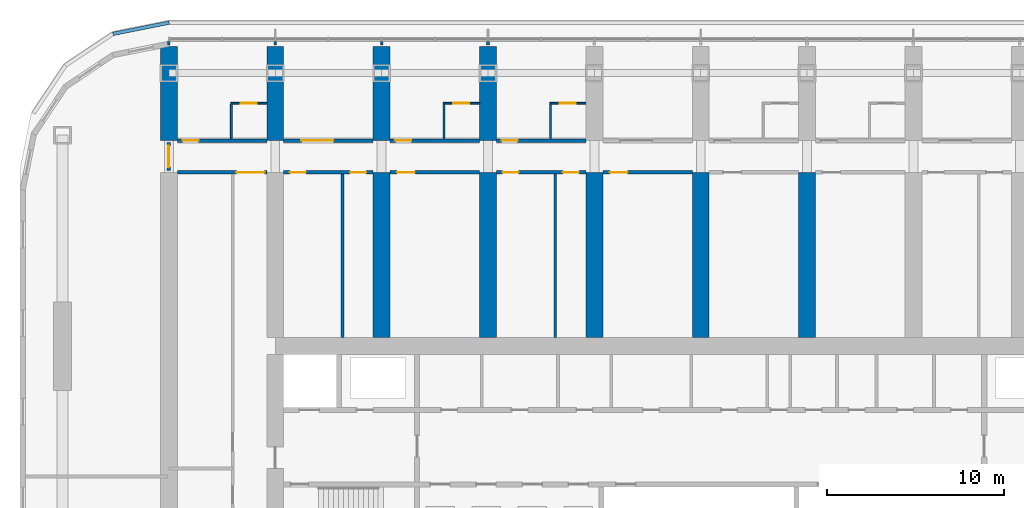
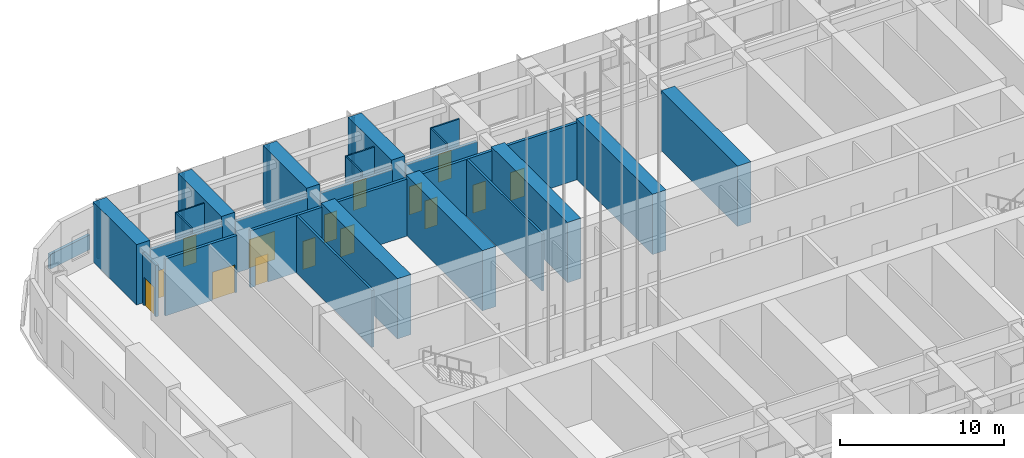
# One storey, part 13 of 31: 32 walls, 15 doors, 15 openings.
"""IFC4 building model written with IfcOpenShell, lengths in metres."""

from ifc_helpers import new_model, si_unit, direction, frame, frame_2d, origin, place, context, subcontext, project, spatial, polyline, rectangle, outline, extrude, material, layer, layer_set, type_object, element, fill, save


model = new_model("IFC4")

# Units and contexts
model_context = context("Model", 3, precision=1e-05, world=origin(), true_north=direction((0.0, 1.0)))
body_context = subcontext(model_context, "Body", "Model", "MODEL_VIEW")
ifc_project = project(units=[si_unit("LENGTHUNIT", "METRE"), si_unit("AREAUNIT", "SQUARE_METRE"), si_unit("VOLUMEUNIT", "CUBIC_METRE"), si_unit("PLANEANGLEUNIT", "RADIAN"), si_unit("MASSUNIT", "GRAM", prefix="KILO")], contexts=[model_context])

# Site, building, storey
site_placement = place(None, origin())
site = spatial("IfcSite", under=ifc_project, at=site_placement, CompositionType="ELEMENT")
building_placement = place(site_placement, origin())
building = spatial("IfcBuilding", under=site, at=building_placement, Name="Orbita Commons", CompositionType="ELEMENT")
storey_placement = place(building_placement, frame((0.0, 0.0, 76.14990234375)))
storey = spatial("IfcBuildingStorey", under=building, at=storey_placement, Name="L18", CompositionType="ELEMENT", Elevation=76.14990234375)

# Wall, opening, door
ifc_material_1 = material(Name="Concrete blockwork", Category="masonry")
ifc_layer_1 = layer(ifc_material_1, 0.199951171875)
ifc_layer_set_1 = layer_set([ifc_layer_1], Name="Concrete blockwork")
wall_type_1 = type_object("IfcWallType", Name="Corridor wall 200 blockwork", PredefinedType="SOLIDWALL", material=ifc_layer_set_1)
wall_1_placement = place(storey_placement, frame((12.47509765625, 49.800048828125, 0.0), z_axis=(0.0, 0.0, 1.0), x_axis=(1.0, 0.0, 0.0)))
wall_1 = element("IfcWall", 1, at=wall_1_placement, inside=storey, type_object=wall_type_1, Name="Corridor wall 200 blockwork L18", PredefinedType="SOLIDWALL", context=body_context, shape_type="SweptSolid", body=[
    extrude(outline(polyline([(0.0, 0.0), (5.0498046875, 0.0), (5.050048828125, 3.85009765625), (0.0, 3.85009765625), (0.0, 0.0)])), frame((0.0, 0.10009765625, 0.0), z_axis=(0.0, -1.0, 0.0), x_axis=(1.0, 0.0, 0.0)), (0.0, 0.0, 1.0), 0.199951171875),
])
opening_1_placement = place(wall_1_placement, frame((0.300048828125, 0.0, 0.0)))
opening_1 = element("IfcOpeningElement", 2, at=opening_1_placement, cuts=wall_1, Name="Opening D11", PredefinedType="OPENING", context=body_context, shape_type="SweptSolid", body=[
    extrude(rectangle(XDim=0.89990234375, YDim=2.10009765625, at=frame_2d((0.449951171875, 1.050048828125))), frame((0.0, 0.10986328125, 0.0), z_axis=(0.0, -1.0, 0.0), x_axis=(1.0, 0.0, 0.0)), (0.0, 0.0, 1.0), 0.219970703125),
])
ifc_material_2 = material(Name="Steel-faced fire door leaf", Category="steel")
door_type_1 = type_object("IfcDoorType", Name="Corridor door 20 min 900x2100", OperationType="SINGLE_SWING_LEFT", PredefinedType="DOOR", material=ifc_material_2)
door_1_placement = place(opening_1_placement, origin())
door_1 = element("IfcDoor", 3, at=door_1_placement, inside=storey, type_object=door_type_1, Name="Guest studio with kitchenette L18-NF0 door", OperationType="SINGLE_SWING_LEFT", OverallHeight=2.10009765625, OverallWidth=0.89990234375, PredefinedType="DOOR", context=body_context, shape_type="SweptSolid", body=[
    extrude(rectangle(XDim=0.89990234375, YDim=2.10009765625, at=frame_2d((0.449951171875, 1.050048828125))), frame((0.0, 0.02490234375, 0.0), z_axis=(0.0, -1.0, 0.0), x_axis=(1.0, 0.0, 0.0)), (0.0, 0.0, 1.0), 0.050048828125),
])
fill(opening_1, door_1)

wall_2_placement = place(storey_placement, frame((18.47509765625, 49.800048828125, 0.0), z_axis=(0.0, 0.0, 1.0), x_axis=(1.0, 0.0, 0.0)))
wall_2 = element("IfcWall", 4, at=wall_2_placement, inside=storey, type_object=wall_type_1, Name="Corridor wall 200 blockwork L18", PredefinedType="SOLIDWALL", context=body_context, shape_type="SweptSolid", body=[
    extrude(outline(polyline([(0.0, 0.0), (5.0498046875, 0.0), (5.050048828125, 3.85009765625), (0.0, 3.85009765625), (0.0, 0.0)])), frame((0.0, 0.10009765625, 0.0), z_axis=(0.0, -1.0, 0.0), x_axis=(1.0, 0.0, 0.0)), (0.0, 0.0, 1.0), 0.199951171875),
])
opening_2_placement = place(wall_2_placement, frame((1.0, 0.0, 0.0)))
opening_2 = element("IfcOpeningElement", 5, at=opening_2_placement, cuts=wall_2, Name="Opening D07", PredefinedType="OPENING", context=body_context, shape_type="SweptSolid", body=[
    extrude(rectangle(XDim=1.800048828125, YDim=2.10009765625, at=frame_2d((0.89990234375, 1.050048828125))), frame((0.0, 0.10986328125, 0.0), z_axis=(0.0, -1.0, 0.0), x_axis=(1.0, 0.0, 0.0)), (0.0, 0.0, 1.0), 0.219970703125),
])
ifc_material_3 = material(Name="Steel-faced fire door leaf", Category="steel")
door_type_2 = type_object("IfcDoorType", Name="Double corridor door 20 min 1800x2100", OperationType="DOUBLE_DOOR_SINGLE_SWING", PredefinedType="DOOR", material=ifc_material_3)
door_2_placement = place(opening_2_placement, origin())
door_2 = element("IfcDoor", 6, at=door_2_placement, inside=storey, type_object=door_type_2, Name="Library L18-NF1 doors", OperationType="DOUBLE_DOOR_SINGLE_SWING", OverallHeight=2.10009765625, OverallWidth=1.800048828125, PredefinedType="DOOR", context=body_context, shape_type="SweptSolid", body=[
    extrude(rectangle(XDim=1.800048828125, YDim=2.10009765625, at=frame_2d((0.89990234375, 1.050048828125))), frame((0.0, 0.02490234375, 0.0), z_axis=(0.0, -1.0, 0.0), x_axis=(1.0, 0.0, 0.0)), (0.0, 0.0, 1.0), 0.050048828125),
])
fill(opening_2, door_2)

wall_3_placement = place(storey_placement, frame((24.47509765625, 49.800048828125, 0.0), z_axis=(0.0, 0.0, 1.0), x_axis=(1.0, 0.0, 0.0)))
wall_3 = element("IfcWall", 7, at=wall_3_placement, inside=storey, type_object=wall_type_1, Name="Corridor wall 200 blockwork L18", PredefinedType="SOLIDWALL", context=body_context, shape_type="SweptSolid", body=[
    extrude(outline(polyline([(0.0, 0.0), (5.0498046875, 0.0), (5.050048828125, 3.85009765625), (0.0, 3.85009765625), (0.0, 0.0)])), frame((0.0, 0.10009765625, 0.0), z_axis=(0.0, -1.0, 0.0), x_axis=(1.0, 0.0, 0.0)), (0.0, 0.0, 1.0), 0.199951171875),
])
opening_3_placement = place(wall_3_placement, frame((0.300048828125, 0.0, 0.0)))
opening_3 = element("IfcOpeningElement", 8, at=opening_3_placement, cuts=wall_3, Name="Opening D11", PredefinedType="OPENING", context=body_context, shape_type="SweptSolid", body=[
    extrude(rectangle(XDim=0.89990234375, YDim=2.10009765625, at=frame_2d((0.449951171875, 1.050048828125))), frame((0.0, 0.10986328125, 0.0), z_axis=(0.0, -1.0, 0.0), x_axis=(1.0, 0.0, 0.0)), (0.0, 0.0, 1.0), 0.219970703125),
])
door_3_placement = place(opening_3_placement, origin())
door_3 = element("IfcDoor", 9, at=door_3_placement, inside=storey, type_object=door_type_1, Name="Guest studio with kitchenette L18-NF2 door", OperationType="SINGLE_SWING_LEFT", OverallHeight=2.10009765625, OverallWidth=0.89990234375, PredefinedType="DOOR", context=body_context, shape_type="SweptSolid", body=[
    extrude(rectangle(XDim=0.89990234375, YDim=2.10009765625, at=frame_2d((0.449951171875, 1.050048828125))), frame((0.0, 0.02490234375, 0.0), z_axis=(0.0, -1.0, 0.0), x_axis=(1.0, 0.0, 0.0)), (0.0, 0.0, 1.0), 0.050048828125),
])
fill(opening_3, door_3)

wall_4_placement = place(storey_placement, frame((30.47509765625, 49.800048828125, 0.0), z_axis=(0.0, 0.0, 1.0), x_axis=(1.0, 0.0, 0.0)))
wall_4 = element("IfcWall", 10, at=wall_4_placement, inside=storey, type_object=wall_type_1, Name="Corridor wall 200 blockwork L18", PredefinedType="SOLIDWALL", context=body_context, shape_type="SweptSolid", body=[
    extrude(outline(polyline([(0.0, 0.0), (5.0498046875, 0.0), (5.050048828125, 3.85009765625), (0.0, 3.85009765625), (0.0, 0.0)])), frame((0.0, 0.10009765625, 0.0), z_axis=(0.0, -1.0, 0.0), x_axis=(1.0, 0.0, 0.0)), (0.0, 0.0, 1.0), 0.199951171875),
])
opening_4_placement = place(wall_4_placement, frame((0.300048828125, 0.0, 0.0)))
opening_4 = element("IfcOpeningElement", 11, at=opening_4_placement, cuts=wall_4, Name="Opening D11", PredefinedType="OPENING", context=body_context, shape_type="SweptSolid", body=[
    extrude(rectangle(XDim=0.89990234375, YDim=2.10009765625, at=frame_2d((0.449951171875, 1.050048828125))), frame((0.0, 0.10986328125, 0.0), z_axis=(0.0, -1.0, 0.0), x_axis=(1.0, 0.0, 0.0)), (0.0, 0.0, 1.0), 0.219970703125),
])
door_4_placement = place(opening_4_placement, origin())
door_4 = element("IfcDoor", 12, at=door_4_placement, inside=storey, type_object=door_type_1, Name="Guest studio with kitchenette L18-NF3 door", OperationType="SINGLE_SWING_LEFT", OverallHeight=2.10009765625, OverallWidth=0.89990234375, PredefinedType="DOOR", context=body_context, shape_type="SweptSolid", body=[
    extrude(rectangle(XDim=0.89990234375, YDim=2.10009765625, at=frame_2d((0.449951171875, 1.050048828125))), frame((0.0, 0.02490234375, 0.0), z_axis=(0.0, -1.0, 0.0), x_axis=(1.0, 0.0, 0.0)), (0.0, 0.0, 1.0), 0.050048828125),
])
fill(opening_4, door_4)

wall_5_placement = place(storey_placement, frame((12.0, 48.10009765625, 0.0), z_axis=(0.0, 0.0, 1.0), x_axis=(0.0, 1.0, 0.0)))
wall_5 = element("IfcWall", 13, at=wall_5_placement, inside=storey, type_object=wall_type_1, Name="Corridor wall 200 blockwork L18", PredefinedType="SOLIDWALL", context=body_context, shape_type="SweptSolid", body=[
    extrude(outline(polyline([(0.0, 0.0), (1.599853515625, 0.0), (1.60009765625, 3.85009765625), (0.0, 3.85009765625), (0.0, 0.0)])), frame((0.0, 0.10009765625, 0.0), z_axis=(0.0, -1.0, 0.0), x_axis=(1.0, 0.0, 0.0)), (0.0, 0.0, 1.0), 0.199951171875),
])
opening_5_placement = place(wall_5_placement, frame((0.199951171875, 0.0, 0.0)))
opening_5 = element("IfcOpeningElement", 14, at=opening_5_placement, cuts=wall_5, Name="Opening D12", PredefinedType="OPENING", context=body_context, shape_type="SweptSolid", body=[
    extrude(rectangle(XDim=1.199951171875, YDim=2.10009765625, at=frame_2d((0.60009765625, 1.050048828125))), frame((0.0, 0.10986328125, 0.0), z_axis=(0.0, -1.0, 0.0), x_axis=(1.0, 0.0, 0.0)), (0.0, 0.0, 1.0), 0.219970703125),
])
ifc_material_4 = material(Name="Steel-faced fire door leaf", Category="steel")
door_type_3 = type_object("IfcDoorType", Name="Double corridor door 20 min 1200x2100", OperationType="DOUBLE_DOOR_SINGLE_SWING", PredefinedType="DOOR", material=ifc_material_4)
door_5_placement = place(opening_5_placement, origin())
door_5 = element("IfcDoor", 15, at=door_5_placement, inside=storey, type_object=door_type_3, Name="Lounge doors", OperationType="DOUBLE_DOOR_SINGLE_SWING", OverallHeight=2.10009765625, OverallWidth=1.199951171875, PredefinedType="DOOR", context=body_context, shape_type="SweptSolid", body=[
    extrude(rectangle(XDim=1.199951171875, YDim=2.10009765625, at=frame_2d((0.60009765625, 1.050048828125))), frame((0.0, 0.02490234375, 0.0), z_axis=(0.0, -1.0, 0.0), x_axis=(1.0, 0.0, 0.0)), (0.0, 0.0, 1.0), 0.050048828125),
])
fill(opening_5, door_5)

ifc_material_5 = material(Name="Hollow concrete block 200", Category="concrete")
ifc_layer_2 = layer(ifc_material_5, 0.199951171875)
ifc_layer_set_2 = layer_set([ifc_layer_2], Name="Hollow concrete block 200")
wall_type_2 = type_object("IfcWallType", Name="Corridor wall 200 hollow concrete block", PredefinedType="SOLIDWALL", material=ifc_layer_set_2)
wall_6_placement = place(storey_placement, frame((12.47509765625, 48.0, 0.0), z_axis=(0.0, 0.0, 1.0), x_axis=(1.0, 0.0, 0.0)))
wall_6 = element("IfcWall", 16, at=wall_6_placement, inside=storey, type_object=wall_type_2, Name="Corridor wall 200 hollow concrete block L18", PredefinedType="SOLIDWALL", context=body_context, shape_type="SweptSolid", body=[
    extrude(rectangle(XDim=5.0498046875, YDim=0.199951171875, at=frame_2d((2.52490234375, 0.0))), origin(), (0.0, 0.0, 1.0), 4.25),
])
opening_6_placement = place(wall_6_placement, frame((3.324951171875, 0.0, 0.0)))
opening_6 = element("IfcOpeningElement", 17, at=opening_6_placement, cuts=wall_6, Name="Opening D10", PredefinedType="OPENING", context=body_context, shape_type="SweptSolid", body=[
    extrude(rectangle(XDim=1.60009765625, YDim=2.10009765625, at=frame_2d((0.800048828125, 1.050048828125))), frame((0.0, 0.10986328125, 0.0), z_axis=(0.0, -1.0, 0.0), x_axis=(1.0, 0.0, 0.0)), (0.0, 0.0, 1.0), 0.219970703125),
])
ifc_material_6 = material(Name="Steel-faced fire door leaf", Category="steel")
door_type_4 = type_object("IfcDoorType", Name="Double corridor door 20 min 1600x2100", OperationType="DOUBLE_DOOR_SINGLE_SWING", PredefinedType="DOOR", material=ifc_material_6)
door_6_placement = place(opening_6_placement, origin())
door_6 = element("IfcDoor", 18, at=door_6_placement, inside=storey, type_object=door_type_4, Name="Cross corridor doors", OperationType="DOUBLE_DOOR_SINGLE_SWING", OverallHeight=2.10009765625, OverallWidth=1.60009765625, PredefinedType="DOOR", context=body_context, shape_type="SweptSolid", body=[
    extrude(rectangle(XDim=1.60009765625, YDim=2.10009765625, at=frame_2d((0.800048828125, 1.050048828125))), frame((0.0, 0.02490234375, 0.0), z_axis=(0.0, -1.0, 0.0), x_axis=(1.0, 0.0, 0.0)), (0.0, 0.0, 1.0), 0.050048828125),
])
fill(opening_6, door_6)

# Wall, openings, doors
wall_7_placement = place(storey_placement, frame((18.47509765625, 48.0, 0.0), z_axis=(0.0, 0.0, 1.0), x_axis=(1.0, 0.0, 0.0)))
wall_7 = element("IfcWall", 19, at=wall_7_placement, inside=storey, type_object=wall_type_2, Name="Corridor wall 200 hollow concrete block L18", PredefinedType="SOLIDWALL", context=body_context, shape_type="SweptSolid", body=[
    extrude(rectangle(XDim=5.0498046875, YDim=0.199951171875, at=frame_2d((2.52490234375, 0.0))), origin(), (0.0, 0.0, 1.0), 4.25),
])
opening_7_placement = place(wall_7_placement, frame((0.35009765625, 0.0, 0.0)))
opening_7 = element("IfcOpeningElement", 20, at=opening_7_placement, cuts=wall_7, Name="Opening D11", PredefinedType="OPENING", context=body_context, shape_type="SweptSolid", body=[
    extrude(rectangle(XDim=0.89990234375, YDim=2.10009765625, at=frame_2d((0.449951171875, 1.050048828125))), frame((0.0, 0.10986328125, 0.0), z_axis=(0.0, -1.0, 0.0), x_axis=(1.0, 0.0, 0.0)), (0.0, 0.0, 1.0), 0.219970703125),
])
opening_8_placement = place(wall_7_placement, frame((3.7451171875, 0.0, 0.0)))
opening_8 = element("IfcOpeningElement", 21, at=opening_8_placement, cuts=wall_7, Name="Opening D11", PredefinedType="OPENING", context=body_context, shape_type="SweptSolid", body=[
    extrude(rectangle(XDim=0.89990234375, YDim=2.10009765625, at=frame_2d((0.449951171875, 1.050048828125))), frame((0.0, 0.10986328125, 0.0), z_axis=(0.0, -1.0, 0.0), x_axis=(1.0, 0.0, 0.0)), (0.0, 0.0, 1.0), 0.219970703125),
])
door_7_placement = place(opening_7_placement, origin())
door_7 = element("IfcDoor", 22, at=door_7_placement, inside=storey, type_object=door_type_1, Name="Pantry L18-BDN18 door", OperationType="SINGLE_SWING_LEFT", OverallHeight=2.10009765625, OverallWidth=0.89990234375, PredefinedType="DOOR", context=body_context, shape_type="SweptSolid", body=[
    extrude(rectangle(XDim=0.89990234375, YDim=2.10009765625, at=frame_2d((0.449951171875, 1.050048828125))), frame((0.0, 0.02490234375, 0.0), z_axis=(0.0, -1.0, 0.0), x_axis=(1.0, 0.0, 0.0)), (0.0, 0.0, 1.0), 0.050048828125),
])
fill(opening_7, door_7)
door_8_placement = place(opening_8_placement, origin())
door_8 = element("IfcDoor", 23, at=door_8_placement, inside=storey, type_object=door_type_1, Name="Paper and print store L18-BDN18n door", OperationType="SINGLE_SWING_LEFT", OverallHeight=2.10009765625, OverallWidth=0.89990234375, PredefinedType="DOOR", context=body_context, shape_type="SweptSolid", body=[
    extrude(rectangle(XDim=0.89990234375, YDim=2.10009765625, at=frame_2d((0.449951171875, 1.050048828125))), frame((0.0, 0.02490234375, 0.0), z_axis=(0.0, -1.0, 0.0), x_axis=(1.0, 0.0, 0.0)), (0.0, 0.0, 1.0), 0.050048828125),
])
fill(opening_8, door_8)

# Wall, opening, door
wall_8_placement = place(storey_placement, frame((24.47509765625, 48.0, 0.0), z_axis=(0.0, 0.0, 1.0), x_axis=(1.0, 0.0, 0.0)))
wall_8 = element("IfcWall", 24, at=wall_8_placement, inside=storey, type_object=wall_type_2, Name="Corridor wall 200 hollow concrete block L18", PredefinedType="SOLIDWALL", context=body_context, shape_type="SweptSolid", body=[
    extrude(rectangle(XDim=5.0498046875, YDim=0.199951171875, at=frame_2d((2.52490234375, 0.0))), origin(), (0.0, 0.0, 1.0), 4.25),
])
opening_9_placement = place(wall_8_placement, frame((0.39990234375, 0.0, 0.0)))
opening_9 = element("IfcOpeningElement", 25, at=opening_9_placement, cuts=wall_8, Name="Opening D06", PredefinedType="OPENING", context=body_context, shape_type="SweptSolid", body=[
    extrude(rectangle(XDim=1.0, YDim=2.10009765625, at=frame_2d((0.5, 1.050048828125))), frame((0.0, 0.10986328125, 0.0), z_axis=(0.0, -1.0, 0.0), x_axis=(1.0, 0.0, 0.0)), (0.0, 0.0, 1.0), 0.219970703125),
])
ifc_material_7 = material(Name="Steel-faced fire door leaf", Category="steel")
door_type_5 = type_object("IfcDoorType", Name="Corridor door 20 min 1000x2100", OperationType="SINGLE_SWING_LEFT", PredefinedType="DOOR", material=ifc_material_7)
door_9_placement = place(opening_9_placement, origin())
door_9 = element("IfcDoor", 26, at=door_9_placement, inside=storey, type_object=door_type_5, Name="Refuse and recycling room L18-BDN24 door", OperationType="SINGLE_SWING_LEFT", OverallHeight=2.10009765625, OverallWidth=1.0, PredefinedType="DOOR", context=body_context, shape_type="SweptSolid", body=[
    extrude(rectangle(XDim=1.0, YDim=2.10009765625, at=frame_2d((0.5, 1.050048828125))), frame((0.0, 0.02490234375, 0.0), z_axis=(0.0, -1.0, 0.0), x_axis=(1.0, 0.0, 0.0)), (0.0, 0.0, 1.0), 0.050048828125),
])
fill(opening_9, door_9)

# Wall, openings, doors
wall_9_placement = place(storey_placement, frame((30.47509765625, 48.0, 0.0), z_axis=(0.0, 0.0, 1.0), x_axis=(1.0, 0.0, 0.0)))
wall_9 = element("IfcWall", 27, at=wall_9_placement, inside=storey, type_object=wall_type_2, Name="Corridor wall 200 hollow concrete block L18", PredefinedType="SOLIDWALL", context=body_context, shape_type="SweptSolid", body=[
    extrude(rectangle(XDim=5.0498046875, YDim=0.199951171875, at=frame_2d((2.52490234375, 0.0))), origin(), (0.0, 0.0, 1.0), 4.25),
])
opening_10_placement = place(wall_9_placement, frame((0.35009765625, 0.0, 0.0)))
opening_10 = element("IfcOpeningElement", 28, at=opening_10_placement, cuts=wall_9, Name="Opening D11", PredefinedType="OPENING", context=body_context, shape_type="SweptSolid", body=[
    extrude(rectangle(XDim=0.89990234375, YDim=2.10009765625, at=frame_2d((0.449951171875, 1.050048828125))), frame((0.0, 0.10986328125, 0.0), z_axis=(0.0, -1.0, 0.0), x_axis=(1.0, 0.0, 0.0)), (0.0, 0.0, 1.0), 0.219970703125),
])
opening_11_placement = place(wall_9_placement, frame((3.7548828125, 0.0, 0.0)))
opening_11 = element("IfcOpeningElement", 29, at=opening_11_placement, cuts=wall_9, Name="Opening D11", PredefinedType="OPENING", context=body_context, shape_type="SweptSolid", body=[
    extrude(rectangle(XDim=0.89990234375, YDim=2.10009765625, at=frame_2d((0.449951171875, 1.050048828125))), frame((0.0, 0.10986328125, 0.0), z_axis=(0.0, -1.0, 0.0), x_axis=(1.0, 0.0, 0.0)), (0.0, 0.0, 1.0), 0.219970703125),
])
door_10_placement = place(opening_10_placement, origin())
door_10 = element("IfcDoor", 30, at=door_10_placement, inside=storey, type_object=door_type_1, Name="Housekeeping office L18-BDN30 door", OperationType="SINGLE_SWING_LEFT", OverallHeight=2.10009765625, OverallWidth=0.89990234375, PredefinedType="DOOR", context=body_context, shape_type="SweptSolid", body=[
    extrude(rectangle(XDim=0.89990234375, YDim=2.10009765625, at=frame_2d((0.449951171875, 1.050048828125))), frame((0.0, 0.02490234375, 0.0), z_axis=(0.0, -1.0, 0.0), x_axis=(1.0, 0.0, 0.0)), (0.0, 0.0, 1.0), 0.050048828125),
])
fill(opening_10, door_10)
door_11_placement = place(opening_11_placement, origin())
door_11 = element("IfcDoor", 31, at=door_11_placement, inside=storey, type_object=door_type_1, Name="Equipment store L18-BDN30n door", OperationType="SINGLE_SWING_LEFT", OverallHeight=2.10009765625, OverallWidth=0.89990234375, PredefinedType="DOOR", context=body_context, shape_type="SweptSolid", body=[
    extrude(rectangle(XDim=0.89990234375, YDim=2.10009765625, at=frame_2d((0.449951171875, 1.050048828125))), frame((0.0, 0.02490234375, 0.0), z_axis=(0.0, -1.0, 0.0), x_axis=(1.0, 0.0, 0.0)), (0.0, 0.0, 1.0), 0.050048828125),
])
fill(opening_11, door_11)

# Wall, opening, door
wall_10_placement = place(storey_placement, frame((36.47509765625, 48.0, 0.0), z_axis=(0.0, 0.0, 1.0), x_axis=(1.0, 0.0, 0.0)))
wall_10 = element("IfcWall", 32, at=wall_10_placement, inside=storey, type_object=wall_type_2, Name="Corridor wall 200 hollow concrete block L18", PredefinedType="SOLIDWALL", context=body_context, shape_type="SweptSolid", body=[
    extrude(rectangle(XDim=5.0498046875, YDim=0.199951171875, at=frame_2d((2.52490234375, 0.0))), origin(), (0.0, 0.0, 1.0), 4.25),
])
opening_12_placement = place(wall_10_placement, frame((0.39990234375, 0.0, 0.0)))
opening_12 = element("IfcOpeningElement", 33, at=opening_12_placement, cuts=wall_10, Name="Opening D06", PredefinedType="OPENING", context=body_context, shape_type="SweptSolid", body=[
    extrude(rectangle(XDim=1.0, YDim=2.10009765625, at=frame_2d((0.5, 1.050048828125))), frame((0.0, 0.10986328125, 0.0), z_axis=(0.0, -1.0, 0.0), x_axis=(1.0, 0.0, 0.0)), (0.0, 0.0, 1.0), 0.219970703125),
])
door_12_placement = place(opening_12_placement, origin())
door_12 = element("IfcDoor", 34, at=door_12_placement, inside=storey, type_object=door_type_5, Name="IT room L18-BDN36 door", OperationType="SINGLE_SWING_LEFT", OverallHeight=2.10009765625, OverallWidth=1.0, PredefinedType="DOOR", context=body_context, shape_type="SweptSolid", body=[
    extrude(rectangle(XDim=1.0, YDim=2.10009765625, at=frame_2d((0.5, 1.050048828125))), frame((0.0, 0.02490234375, 0.0), z_axis=(0.0, -1.0, 0.0), x_axis=(1.0, 0.0, 0.0)), (0.0, 0.0, 1.0), 0.050048828125),
])
fill(opening_12, door_12)

# Walls
ifc_material_8 = material(Name="Concrete C50/60", Category="concrete")
ifc_layer_3 = layer(ifc_material_8, 0.949951171875)
ifc_layer_set_3 = layer_set([ifc_layer_3], Name="Concrete C50/60")
wall_type_3 = type_object("IfcWallType", Name="Cross wall 950 C50/60", PredefinedType="SHEAR", material=ifc_layer_set_3)
for number, where, z_axis, x_axis, name in (
    (35, (12.0, 49.800048828125, 0.0), (0.0, 0.0, 1.0), (0.0, 1.0, 0.0), "Cross wall 3 north outer L18"),
    (36, (18.0, 49.800048828125, 0.0), (0.0, 0.0, 1.0), (0.0, 1.0, 0.0), "Cross wall 4 north outer L18"),
    (37, (24.0, 49.800048828125, 0.0), (0.0, 0.0, 1.0), (0.0, 1.0, 0.0), "Cross wall 5 north outer L18"),
):
    element("IfcWall", number, at=place(storey_placement, frame(where, z_axis=z_axis, x_axis=x_axis)), inside=storey, type_object=wall_type_3, Name=name, PredefinedType="SHEAR", context=body_context, shape_type="SweptSolid", body=[
        extrude(rectangle(XDim=5.300048828125, YDim=0.949951171875, at=frame_2d((2.64990234375, 0.0))), origin(), (0.0, 0.0, 1.0), 4.5),
    ])
wall_11_placement = place(storey_placement, frame((24.0, 38.675048828125, 0.0), z_axis=(0.0, 0.0, 1.0), x_axis=(0.0, 1.0, 0.0)))
element("IfcWall", 38, at=wall_11_placement, inside=storey, type_object=wall_type_3, Name="Cross wall 5 north inner L18", PredefinedType="SHEAR", context=body_context, shape_type="SweptSolid", body=[
    extrude(rectangle(XDim=9.324951171875, YDim=0.949951171875, at=frame_2d((4.66259765625, 0.0))), origin(), (0.0, 0.0, 1.0), 4.5),
])
wall_12_placement = place(storey_placement, frame((30.0, 49.800048828125, 0.0), z_axis=(0.0, 0.0, 1.0), x_axis=(0.0, 1.0, 0.0)))
element("IfcWall", 39, at=wall_12_placement, inside=storey, type_object=wall_type_3, Name="Cross wall 6 north outer L18", PredefinedType="SHEAR", context=body_context, shape_type="SweptSolid", body=[
    extrude(rectangle(XDim=5.300048828125, YDim=0.949951171875, at=frame_2d((2.64990234375, 0.0))), origin(), (0.0, 0.0, 1.0), 4.5),
])
for number, where, z_axis, x_axis, name in (
    (40, (30.0, 38.675048828125, 0.0), (0.0, 0.0, 1.0), (0.0, 1.0, 0.0), "Cross wall 6 north inner L18"),
    (41, (36.0, 38.675048828125, 0.0), (0.0, 0.0, 1.0), (0.0, 1.0, 0.0), "Cross wall 7 north inner L18"),
    (42, (42.0, 38.675048828125, 0.0), (0.0, 0.0, 1.0), (0.0, 1.0, 0.0), "Cross wall 8 north inner L18"),
    (43, (48.0, 38.675048828125, 0.0), (0.0, 0.0, 1.0), (0.0, 1.0, 0.0), "Cross wall 9 north inner L18"),
):
    element("IfcWall", number, at=place(storey_placement, frame(where, z_axis=z_axis, x_axis=x_axis)), inside=storey, type_object=wall_type_3, Name=name, PredefinedType="SHEAR", context=body_context, shape_type="SweptSolid", body=[
        extrude(rectangle(XDim=9.324951171875, YDim=0.949951171875, at=frame_2d((4.66259765625, 0.0))), origin(), (0.0, 0.0, 1.0), 4.5),
    ])

# Wall, opening, door
ifc_material_9 = material(Name="Moisture-resistant plasterboard on steel studs", Category="steel")
ifc_layer_4 = layer(ifc_material_9, 0.10009765625)
ifc_layer_set_4 = layer_set([ifc_layer_4], Name="Moisture-resistant plasterboard on steel studs")
wall_type_4 = type_object("IfcWallType", Name="En-suite partition 100", PredefinedType="PARTITIONING", material=ifc_layer_set_4)
wall_13_placement = place(storey_placement, frame((15.47509765625, 51.89990234375, 0.0), z_axis=(0.0, 0.0, 1.0), x_axis=(1.0, 0.0, 0.0)))
wall_13 = element("IfcWall", 44, at=wall_13_placement, inside=storey, type_object=wall_type_4, Name="En-suite partition 100 L18", PredefinedType="PARTITIONING", context=body_context, shape_type="SweptSolid", body=[
    extrude(rectangle(XDim=2.0498046875, YDim=0.10009765625, at=frame_2d((1.02490234375, 0.0))), origin(), (0.0, 0.0, 1.0), 4.25),
])
opening_13_placement = place(wall_13_placement, frame((0.574951171875, 0.0, 0.0)))
opening_13 = element("IfcOpeningElement", 45, at=opening_13_placement, cuts=wall_13, Name="Opening D09", PredefinedType="OPENING", context=body_context, shape_type="SweptSolid", body=[
    extrude(rectangle(XDim=0.89990234375, YDim=2.10009765625, at=frame_2d((0.449951171875, 1.050048828125))), frame((0.0, 0.06005859375, 0.0), z_axis=(0.0, -1.0, 0.0), x_axis=(1.0, 0.0, 0.0)), (0.0, 0.0, 1.0), 0.1201171875),
])
ifc_material_10 = material(Name="Laminated timber door leaf", Category="wood")
door_type_6 = type_object("IfcDoorType", Name="En-suite door 900x2100", OperationType="SINGLE_SWING_RIGHT", PredefinedType="DOOR", material=ifc_material_10)
door_13_placement = place(opening_13_placement, origin())
door_13 = element("IfcDoor", 46, at=door_13_placement, inside=storey, type_object=door_type_6, Name="En-suite L18-NF0 door", OperationType="SINGLE_SWING_RIGHT", OverallHeight=2.10009765625, OverallWidth=0.89990234375, PredefinedType="DOOR", context=body_context, shape_type="SweptSolid", body=[
    extrude(rectangle(XDim=0.89990234375, YDim=2.10009765625, at=frame_2d((0.449951171875, 1.050048828125))), frame((0.0, 0.02490234375, 0.0), z_axis=(0.0, -1.0, 0.0), x_axis=(1.0, 0.0, 0.0)), (0.0, 0.0, 1.0), 0.050048828125),
])
fill(opening_13, door_13)

# Wall
wall_14_placement = place(storey_placement, frame((15.52490234375, 51.85009765625, 0.0), z_axis=(0.0, 0.0, 1.0), x_axis=(0.0, -1.0, 0.0)))
element("IfcWall", 47, at=wall_14_placement, inside=storey, type_object=wall_type_4, Name="En-suite partition 100 L18", PredefinedType="PARTITIONING", context=body_context, shape_type="SweptSolid", body=[
    extrude(outline(polyline([(0.0, 0.0), (1.9501953125, 0.0), (1.949951171875, 3.85009765625), (1.902099609375, 3.85009765625), (1.89990234375, 4.25), (0.0, 4.25), (0.0, 0.0)])), frame((0.0, 0.050048828125, 0.0), z_axis=(0.0, -1.0, 0.0), x_axis=(1.0, 0.0, 0.0)), (0.0, 0.0, 1.0), 0.10009765625),
])

# Wall, opening, door
wall_15_placement = place(storey_placement, frame((27.47509765625, 51.89990234375, 0.0), z_axis=(0.0, 0.0, 1.0), x_axis=(1.0, 0.0, 0.0)))
wall_15 = element("IfcWall", 48, at=wall_15_placement, inside=storey, type_object=wall_type_4, Name="En-suite partition 100 L18", PredefinedType="PARTITIONING", context=body_context, shape_type="SweptSolid", body=[
    extrude(rectangle(XDim=2.0498046875, YDim=0.10009765625, at=frame_2d((1.02490234375, 0.0))), origin(), (0.0, 0.0, 1.0), 4.25),
])
opening_14_placement = place(wall_15_placement, frame((0.574951171875, 0.0, 0.0)))
opening_14 = element("IfcOpeningElement", 49, at=opening_14_placement, cuts=wall_15, Name="Opening D09", PredefinedType="OPENING", context=body_context, shape_type="SweptSolid", body=[
    extrude(rectangle(XDim=0.89990234375, YDim=2.10009765625, at=frame_2d((0.449951171875, 1.050048828125))), frame((0.0, 0.06005859375, 0.0), z_axis=(0.0, -1.0, 0.0), x_axis=(1.0, 0.0, 0.0)), (0.0, 0.0, 1.0), 0.1201171875),
])
door_14_placement = place(opening_14_placement, origin())
door_14 = element("IfcDoor", 50, at=door_14_placement, inside=storey, type_object=door_type_6, Name="En-suite L18-NF2 door", OperationType="SINGLE_SWING_RIGHT", OverallHeight=2.10009765625, OverallWidth=0.89990234375, PredefinedType="DOOR", context=body_context, shape_type="SweptSolid", body=[
    extrude(rectangle(XDim=0.89990234375, YDim=2.10009765625, at=frame_2d((0.449951171875, 1.050048828125))), frame((0.0, 0.02490234375, 0.0), z_axis=(0.0, -1.0, 0.0), x_axis=(1.0, 0.0, 0.0)), (0.0, 0.0, 1.0), 0.050048828125),
])
fill(opening_14, door_14)

# Wall
wall_16_placement = place(storey_placement, frame((27.52490234375, 51.85009765625, 0.0), z_axis=(0.0, 0.0, 1.0), x_axis=(0.0, -1.0, 0.0)))
element("IfcWall", 51, at=wall_16_placement, inside=storey, type_object=wall_type_4, Name="En-suite partition 100 L18", PredefinedType="PARTITIONING", context=body_context, shape_type="SweptSolid", body=[
    extrude(outline(polyline([(0.0, 0.0), (1.9501953125, 0.0), (1.949951171875, 3.85009765625), (1.902099609375, 3.85009765625), (1.89990234375, 4.25), (0.0, 4.25), (0.0, 0.0)])), frame((0.0, 0.050048828125, 0.0), z_axis=(0.0, -1.0, 0.0), x_axis=(1.0, 0.0, 0.0)), (0.0, 0.0, 1.0), 0.10009765625),
])

# Wall, opening, door
wall_17_placement = place(storey_placement, frame((33.47509765625, 51.89990234375, 0.0), z_axis=(0.0, 0.0, 1.0), x_axis=(1.0, 0.0, 0.0)))
wall_17 = element("IfcWall", 52, at=wall_17_placement, inside=storey, type_object=wall_type_4, Name="En-suite partition 100 L18", PredefinedType="PARTITIONING", context=body_context, shape_type="SweptSolid", body=[
    extrude(rectangle(XDim=2.0498046875, YDim=0.10009765625, at=frame_2d((1.02490234375, 0.0))), origin(), (0.0, 0.0, 1.0), 4.25),
])
opening_15_placement = place(wall_17_placement, frame((0.574951171875, 0.0, 0.0)))
opening_15 = element("IfcOpeningElement", 53, at=opening_15_placement, cuts=wall_17, Name="Opening D09", PredefinedType="OPENING", context=body_context, shape_type="SweptSolid", body=[
    extrude(rectangle(XDim=0.89990234375, YDim=2.10009765625, at=frame_2d((0.449951171875, 1.050048828125))), frame((0.0, 0.06005859375, 0.0), z_axis=(0.0, -1.0, 0.0), x_axis=(1.0, 0.0, 0.0)), (0.0, 0.0, 1.0), 0.1201171875),
])
door_15_placement = place(opening_15_placement, origin())
door_15 = element("IfcDoor", 54, at=door_15_placement, inside=storey, type_object=door_type_6, Name="En-suite L18-NF3 door", OperationType="SINGLE_SWING_RIGHT", OverallHeight=2.10009765625, OverallWidth=0.89990234375, PredefinedType="DOOR", context=body_context, shape_type="SweptSolid", body=[
    extrude(rectangle(XDim=0.89990234375, YDim=2.10009765625, at=frame_2d((0.449951171875, 1.050048828125))), frame((0.0, 0.02490234375, 0.0), z_axis=(0.0, -1.0, 0.0), x_axis=(1.0, 0.0, 0.0)), (0.0, 0.0, 1.0), 0.050048828125),
])
fill(opening_15, door_15)

# Walls
wall_18_placement = place(storey_placement, frame((33.52490234375, 51.85009765625, 0.0), z_axis=(0.0, 0.0, 1.0), x_axis=(0.0, -1.0, 0.0)))
element("IfcWall", 55, at=wall_18_placement, inside=storey, type_object=wall_type_4, Name="En-suite partition 100 L18", PredefinedType="PARTITIONING", context=body_context, shape_type="SweptSolid", body=[
    extrude(outline(polyline([(0.0, 0.0), (1.9501953125, 0.0), (1.949951171875, 3.85009765625), (1.902099609375, 3.85009765625), (1.89990234375, 4.25), (0.0, 4.25), (0.0, 0.0)])), frame((0.0, 0.050048828125, 0.0), z_axis=(0.0, -1.0, 0.0), x_axis=(1.0, 0.0, 0.0)), (0.0, 0.0, 1.0), 0.10009765625),
])
ifc_material_11 = material(Name="Gypsum plasterboard on steel studs", Category="steel")
ifc_layer_5 = layer(ifc_material_11, 0.14990234375)
ifc_layer_set_5 = layer_set([ifc_layer_5], Name="Gypsum plasterboard on steel studs")
wall_type_5 = type_object("IfcWallType", Name="Partition 150 plasterboard", PredefinedType="PARTITIONING", material=ifc_layer_set_5)
for number, where, z_axis, x_axis, name in (
    (56, (21.794921875, 38.675048828125, 0.0), (0.0, 0.0, 1.0), (0.0, 1.0, 0.0), "Partition 150 plasterboard L18"),
    (57, (33.804931640625, 38.675048828125, 0.0), (0.0, 0.0, 1.0), (0.0, 1.0, 0.0), "Partition 150 plasterboard L18"),
):
    element("IfcWall", number, at=place(storey_placement, frame(where, z_axis=z_axis, x_axis=x_axis)), inside=storey, type_object=wall_type_5, Name=name, PredefinedType="PARTITIONING", context=body_context, shape_type="SweptSolid", body=[
        extrude(rectangle(XDim=9.224853515625, YDim=0.14990234375, at=frame_2d((4.6123046875, 0.0))), origin(), (0.0, 0.0, 1.0), 4.25),
    ])
wall_19_placement = place(storey_placement, frame((12.0, 55.199951171875, 0.0), z_axis=(0.0, 0.0, 1.0), x_axis=(0.0, 1.0, 0.0)))
element("IfcWall", 58, at=wall_19_placement, inside=storey, type_object=wall_type_5, Name="Partition 150 plasterboard L18", PredefinedType="PARTITIONING", context=body_context, shape_type="SweptSolid", body=[
    extrude(rectangle(XDim=0.219970703125, YDim=0.14990234375, at=frame_2d((0.10986328125, 0.0))), origin(), (0.0, 0.0, 1.0), 4.25),
])
for number, where, z_axis, x_axis, name in (
    (59, (18.0, 55.199951171875, 0.0), (0.0, 0.0, 1.0), (0.0, 1.0, 0.0), "Partition 150 plasterboard L18"),
    (60, (24.0, 55.199951171875, 0.0), (0.0, 0.0, 1.0), (0.0, 1.0, 0.0), "Partition 150 plasterboard L18"),
    (61, (30.0, 55.199951171875, 0.0), (0.0, 0.0, 1.0), (0.0, 1.0, 0.0), "Partition 150 plasterboard L18"),
):
    element("IfcWall", number, at=place(storey_placement, frame(where, z_axis=z_axis, x_axis=x_axis)), inside=storey, type_object=wall_type_5, Name=name, PredefinedType="PARTITIONING", context=body_context, shape_type="SweptSolid", body=[
        extrude(rectangle(XDim=0.18994140625, YDim=0.14990234375, at=frame_2d((0.094970703125, 0.0))), origin(), (0.0, 0.0, 1.0), 4.25),
    ])
ifc_material_12 = material(Name="Precast concrete C40/50, white board-marked finish", Category="concrete")
ifc_layer_6 = layer(ifc_material_12, 0.199951171875)
ifc_layer_set_6 = layer_set([ifc_layer_6], Name="Precast concrete C40/50, white board-marked finish")
wall_type_6 = type_object("IfcWallType", Name="Precast parapet 200", PredefinedType="PARAPET", material=ifc_layer_set_6)
wall_20_placement = place(storey_placement, frame((8.843994140625, 55.8193359375, 0.0), z_axis=(0.0, 0.0, 1.0), x_axis=(0.980792126237, 0.195055902531, 0.0)))
element("IfcWall", 62, at=wall_20_placement, inside=storey, type_object=wall_type_6, Name="Parapet L18 1.3", PredefinedType="PARAPET", context=body_context, shape_type="SweptSolid", body=[
    extrude(rectangle(XDim=3.23291015625, YDim=0.199951171875, at=frame_2d((1.616455078125, 0.0))), origin(), (0.0, 0.0, 1.0), 1.10009765625),
])

save(model, "model.ifc")
